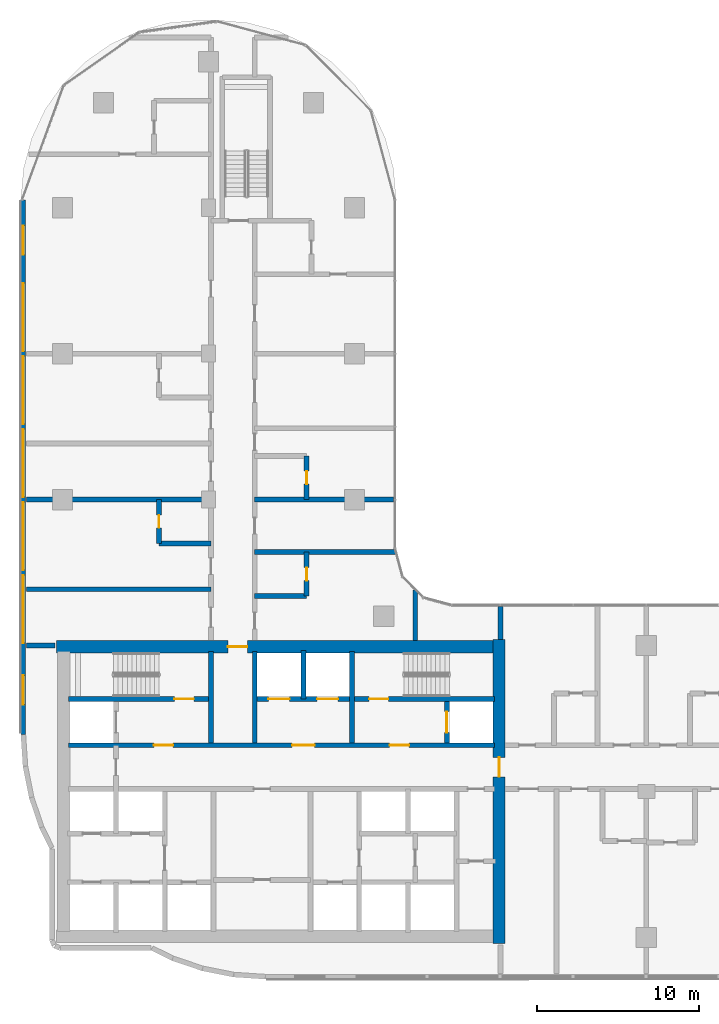
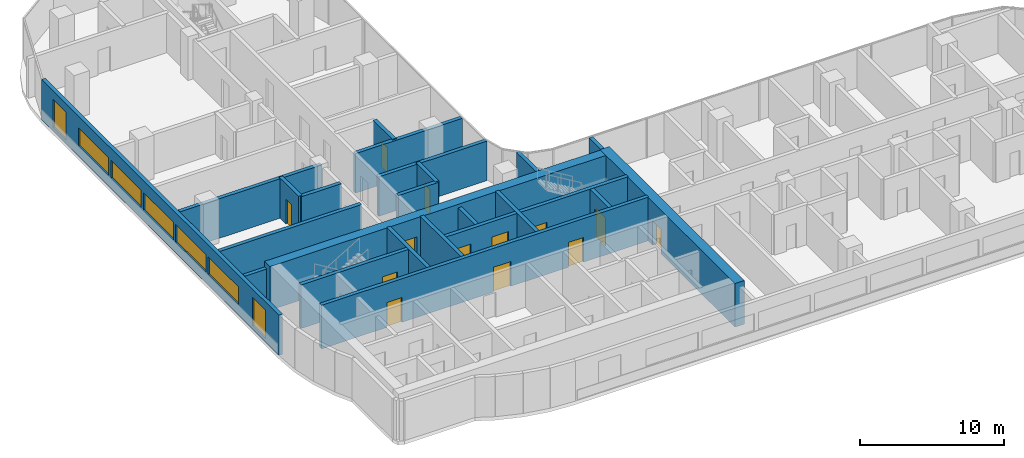
# One storey, part 11 of 23: 23 walls, 13 doors, 7 windows, 20 openings.
"""IFC4 building model written with IfcOpenShell, lengths in metres."""

from ifc_helpers import new_model, si_unit, direction, frame, frame_2d, origin, place, context, subcontext, project, spatial, rectangle, extrude, material, layer, layer_set, type_object, element, fill, save


model = new_model("IFC4")

# Units and contexts
model_context = context("Model", 3, precision=1e-05, world=origin(), true_north=direction((0.0, 1.0)))
body_context = subcontext(model_context, "Body", "Model", "MODEL_VIEW")
ifc_project = project(units=[si_unit("LENGTHUNIT", "METRE"), si_unit("AREAUNIT", "SQUARE_METRE"), si_unit("VOLUMEUNIT", "CUBIC_METRE"), si_unit("PLANEANGLEUNIT", "RADIAN"), si_unit("MASSUNIT", "GRAM", prefix="KILO")], contexts=[model_context])

# Site, building, storey
site_placement = place(None, origin())
site = spatial("IfcSite", under=ifc_project, at=site_placement, CompositionType="ELEMENT")
building_placement = place(site_placement, origin())
building = spatial("IfcBuilding", under=site, at=building_placement, Name="Ogive Portal Towers", CompositionType="ELEMENT")
storey_placement = place(building_placement, frame((0.0, 0.0, 120.39990234375)))
storey = spatial("IfcBuildingStorey", under=building, at=storey_placement, Name="L29", CompositionType="ELEMENT", Elevation=120.39990234375)

# Wall, openings, doors
ifc_material_1 = material(Name="Concrete C60/75", Category="concrete")
ifc_layer_1 = layer(ifc_material_1, 0.300048828125)
ifc_layer_set_1 = layer_set([ifc_layer_1], Name="CORE WALL 300 C60")
wall_type_1 = type_object("IfcWallType", Name="CORE WALL 300 C60", PredefinedType="SHEAR", material=ifc_layer_set_1)
wall_1_placement = place(storey_placement, frame((31.875, 33.35009765625, 0.0), z_axis=(0.0, 0.0, 1.0), x_axis=(1.0, 0.0, 0.0)))
wall_1 = element("IfcWall", 1, at=wall_1_placement, inside=storey, type_object=wall_type_1, Name="Core wall Y2 L29", PredefinedType="SHEAR", context=body_context, shape_type="SweptSolid", body=[
    extrude(rectangle(XDim=26.25, YDim=0.300048828125, at=frame_2d((13.125, 0.0))), origin(), (0.0, 0.0, 1.0), 3.7001953125),
])
opening_1_placement = place(wall_1_placement, frame((13.77490234375, 0.0, 0.0)))
opening_1 = element("IfcOpeningElement", 2, at=opening_1_placement, cuts=wall_1, Name="Opening D10-002", PredefinedType="OPENING", context=body_context, shape_type="SweptSolid", body=[
    extrude(rectangle(XDim=1.39990234375, YDim=2.10009765625, at=frame_2d((0.699951171875, 1.050048828125))), frame((0.0, 0.16015625, 0.0), z_axis=(0.0, -1.0, 0.0), x_axis=(1.0, 0.0, 0.0)), (0.0, 0.0, 1.0), 0.320068359375),
])
opening_2_placement = place(wall_1_placement, frame((5.25, 0.0, 0.0)))
opening_2 = element("IfcOpeningElement", 3, at=opening_2_placement, cuts=wall_1, Name="Opening D10-003", PredefinedType="OPENING", context=body_context, shape_type="SweptSolid", body=[
    extrude(rectangle(XDim=1.199951171875, YDim=2.10009765625, at=frame_2d((0.60009765625, 1.050048828125))), frame((0.0, 0.16015625, 0.0), z_axis=(0.0, -1.0, 0.0), x_axis=(1.0, 0.0, 0.0)), (0.0, 0.0, 1.0), 0.320068359375),
])
opening_3_placement = place(wall_1_placement, frame((19.800048828125, 0.0, 0.0)))
opening_3 = element("IfcOpeningElement", 4, at=opening_3_placement, cuts=wall_1, Name="Opening D10-004", PredefinedType="OPENING", context=body_context, shape_type="SweptSolid", body=[
    extrude(rectangle(XDim=1.199951171875, YDim=2.10009765625, at=frame_2d((0.60009765625, 1.050048828125))), frame((0.0, 0.16015625, 0.0), z_axis=(0.0, -1.0, 0.0), x_axis=(1.0, 0.0, 0.0)), (0.0, 0.0, 1.0), 0.320068359375),
])
ifc_material_2 = material(Name="Steel fire door", Category="steel")
door_type_1 = type_object("IfcDoorType", Name="DT-SWING-1200x2100-FD90S", OperationType="SINGLE_SWING_LEFT", PredefinedType="DOOR", material=ifc_material_2)
door_1_placement = place(opening_2_placement, origin())
door_1 = element("IfcDoor", 5, at=door_1_placement, inside=storey, type_object=door_type_1, Name="Door D10-003", OperationType="SINGLE_SWING_LEFT", OverallHeight=2.10009765625, OverallWidth=1.199951171875, PredefinedType="DOOR", context=body_context, shape_type="SweptSolid", body=[
    extrude(rectangle(XDim=1.199951171875, YDim=2.10009765625, at=frame_2d((0.60009765625, 1.050048828125))), frame((0.0, 0.02490234375, 0.0), z_axis=(0.0, -1.0, 0.0), x_axis=(1.0, 0.0, 0.0)), (0.0, 0.0, 1.0), 0.050048828125),
])
fill(opening_2, door_1)
door_2_placement = place(opening_3_placement, origin())
door_2 = element("IfcDoor", 6, at=door_2_placement, inside=storey, type_object=door_type_1, Name="Door D10-004", OperationType="SINGLE_SWING_RIGHT", OverallHeight=2.10009765625, OverallWidth=1.199951171875, PredefinedType="DOOR", context=body_context, shape_type="SweptSolid", body=[
    extrude(rectangle(XDim=1.199951171875, YDim=2.10009765625, at=frame_2d((0.60009765625, 1.050048828125))), frame((0.0, 0.02490234375, 0.0), z_axis=(0.0, -1.0, 0.0), x_axis=(1.0, 0.0, 0.0)), (0.0, 0.0, 1.0), 0.050048828125),
])
fill(opening_3, door_2)
door_type_2 = type_object("IfcDoorType", Name="DT-SWING-1400x2100-FD90S", OperationType="SINGLE_SWING_LEFT", PredefinedType="DOOR", material=ifc_material_2)
door_3_placement = place(opening_1_placement, origin())
door_3 = element("IfcDoor", 7, at=door_3_placement, inside=storey, type_object=door_type_2, Name="Door D10-002", OperationType="SINGLE_SWING_RIGHT", OverallHeight=2.10009765625, OverallWidth=1.39990234375, PredefinedType="DOOR", context=body_context, shape_type="SweptSolid", body=[
    extrude(rectangle(XDim=1.39990234375, YDim=2.10009765625, at=frame_2d((0.699951171875, 1.050048828125))), frame((0.0, 0.02490234375, 0.0), z_axis=(0.0, -1.0, 0.0), x_axis=(1.0, 0.0, 0.0)), (0.0, 0.0, 1.0), 0.050048828125),
])
fill(opening_1, door_3)

# Wall, opening, door
wall_2_placement = place(storey_placement, frame((31.875, 36.199951171875, 0.0), z_axis=(0.0, 0.0, 1.0), x_axis=(1.0, 0.0, 0.0)))
wall_2 = element("IfcWall", 8, at=wall_2_placement, inside=storey, type_object=wall_type_1, Name="Core wall Y3a L29", PredefinedType="SHEAR", context=body_context, shape_type="SweptSolid", body=[
    extrude(rectangle(XDim=8.625, YDim=0.300048828125, at=frame_2d((4.3125, 0.0))), origin(), (0.0, 0.0, 1.0), 3.7001953125),
])
opening_4_placement = place(wall_2_placement, frame((6.52490234375, 0.0, 0.0)))
opening_4 = element("IfcOpeningElement", 9, at=opening_4_placement, cuts=wall_2, Name="Opening D10-005", PredefinedType="OPENING", context=body_context, shape_type="SweptSolid", body=[
    extrude(rectangle(XDim=1.199951171875, YDim=2.10009765625, at=frame_2d((0.60009765625, 1.050048828125))), frame((0.0, 0.16015625, 0.0), z_axis=(0.0, -1.0, 0.0), x_axis=(1.0, 0.0, 0.0)), (0.0, 0.0, 1.0), 0.320068359375),
])
door_4_placement = place(opening_4_placement, origin())
door_4 = element("IfcDoor", 10, at=door_4_placement, inside=storey, type_object=door_type_1, Name="Door D10-005", OperationType="SINGLE_SWING_RIGHT", OverallHeight=2.10009765625, OverallWidth=1.199951171875, PredefinedType="DOOR", context=body_context, shape_type="SweptSolid", body=[
    extrude(rectangle(XDim=1.199951171875, YDim=2.10009765625, at=frame_2d((0.60009765625, 1.050048828125))), frame((0.0, 0.02490234375, 0.0), z_axis=(0.0, -1.0, 0.0), x_axis=(1.0, 0.0, 0.0)), (0.0, 0.0, 1.0), 0.050048828125),
])
fill(opening_4, door_4)

# Wall, openings, doors
wall_3_placement = place(storey_placement, frame((43.5, 36.199951171875, 0.0), z_axis=(0.0, 0.0, 1.0), x_axis=(1.0, 0.0, 0.0)))
wall_3 = element("IfcWall", 11, at=wall_3_placement, inside=storey, type_object=wall_type_1, Name="Core wall Y3b L29", PredefinedType="SHEAR", context=body_context, shape_type="SweptSolid", body=[
    extrude(rectangle(XDim=14.625, YDim=0.300048828125, at=frame_2d((7.3125, 0.0))), origin(), (0.0, 0.0, 1.0), 3.7001953125),
])
opening_5_placement = place(wall_3_placement, frame((6.89990234375, 0.0, 0.0)))
opening_5 = element("IfcOpeningElement", 12, at=opening_5_placement, cuts=wall_3, Name="Opening D10-006", PredefinedType="OPENING", context=body_context, shape_type="SweptSolid", body=[
    extrude(rectangle(XDim=1.199951171875, YDim=2.10009765625, at=frame_2d((0.60009765625, 1.050048828125))), frame((0.0, 0.16015625, 0.0), z_axis=(0.0, -1.0, 0.0), x_axis=(1.0, 0.0, 0.0)), (0.0, 0.0, 1.0), 0.320068359375),
])
opening_6_placement = place(wall_3_placement, frame((0.699951171875, 0.0, 0.0)))
opening_6 = element("IfcOpeningElement", 13, at=opening_6_placement, cuts=wall_3, Name="Opening D10-017", PredefinedType="OPENING", context=body_context, shape_type="SweptSolid", body=[
    extrude(rectangle(XDim=1.300048828125, YDim=2.39990234375, at=frame_2d((0.64990234375, 1.199951171875))), frame((0.0, 0.16015625, 0.0), z_axis=(0.0, -1.0, 0.0), x_axis=(1.0, 0.0, 0.0)), (0.0, 0.0, 1.0), 0.320068359375),
])
opening_7_placement = place(wall_3_placement, frame((3.699951171875, 0.0, 0.0)))
opening_7 = element("IfcOpeningElement", 14, at=opening_7_placement, cuts=wall_3, Name="Opening D10-018", PredefinedType="OPENING", context=body_context, shape_type="SweptSolid", body=[
    extrude(rectangle(XDim=1.300048828125, YDim=2.39990234375, at=frame_2d((0.64990234375, 1.199951171875))), frame((0.0, 0.16015625, 0.0), z_axis=(0.0, -1.0, 0.0), x_axis=(1.0, 0.0, 0.0)), (0.0, 0.0, 1.0), 0.320068359375),
])
ifc_material_3 = material(Name="Stainless steel", Category="steel")
door_type_3 = type_object("IfcDoorType", Name="DT-LD-1300x2400", OperationType="SLIDING_TO_LEFT", PredefinedType="DOOR", material=ifc_material_3)
door_5_placement = place(opening_6_placement, origin())
door_5 = element("IfcDoor", 15, at=door_5_placement, inside=storey, type_object=door_type_3, Name="Door D10-017", OperationType="SLIDING_TO_LEFT", OverallHeight=2.39990234375, OverallWidth=1.300048828125, PredefinedType="DOOR", context=body_context, shape_type="SweptSolid", body=[
    extrude(rectangle(XDim=1.300048828125, YDim=2.39990234375, at=frame_2d((0.64990234375, 1.199951171875))), frame((0.0, 0.02490234375, 0.0), z_axis=(0.0, -1.0, 0.0), x_axis=(1.0, 0.0, 0.0)), (0.0, 0.0, 1.0), 0.050048828125),
])
fill(opening_6, door_5)
door_6_placement = place(opening_7_placement, origin())
door_6 = element("IfcDoor", 16, at=door_6_placement, inside=storey, type_object=door_type_3, Name="Door D10-018", OperationType="SLIDING_TO_LEFT", OverallHeight=2.39990234375, OverallWidth=1.300048828125, PredefinedType="DOOR", context=body_context, shape_type="SweptSolid", body=[
    extrude(rectangle(XDim=1.300048828125, YDim=2.39990234375, at=frame_2d((0.64990234375, 1.199951171875))), frame((0.0, 0.02490234375, 0.0), z_axis=(0.0, -1.0, 0.0), x_axis=(1.0, 0.0, 0.0)), (0.0, 0.0, 1.0), 0.050048828125),
])
fill(opening_7, door_6)
door_7_placement = place(opening_5_placement, origin())
door_7 = element("IfcDoor", 17, at=door_7_placement, inside=storey, type_object=door_type_1, Name="Door D10-006", OperationType="SINGLE_SWING_LEFT", OverallHeight=2.10009765625, OverallWidth=1.199951171875, PredefinedType="DOOR", context=body_context, shape_type="SweptSolid", body=[
    extrude(rectangle(XDim=1.199951171875, YDim=2.10009765625, at=frame_2d((0.60009765625, 1.050048828125))), frame((0.0, 0.02490234375, 0.0), z_axis=(0.0, -1.0, 0.0), x_axis=(1.0, 0.0, 0.0)), (0.0, 0.0, 1.0), 0.050048828125),
])
fill(opening_5, door_7)

# Walls
for number, where, z_axis, x_axis, name in (
    (18, (40.64990234375, 33.5, 0.0), (0.0, 0.0, 1.0), (0.0, 1.0, 0.0), "Core wall X6 L29"),
    (19, (43.35009765625, 33.5, 0.0), (0.0, 0.0, 1.0), (0.0, 1.0, 0.0), "Core wall X7 L29"),
    (20, (49.35009765625, 33.5, 0.0), (0.0, 0.0, 1.0), (0.0, 1.0, 0.0), "Core wall X9 L29"),
):
    element("IfcWall", number, at=place(storey_placement, frame(where, z_axis=z_axis, x_axis=x_axis)), inside=storey, type_object=wall_type_1, Name=name, PredefinedType="SHEAR", context=body_context, shape_type="SweptSolid", body=[
        extrude(rectangle(XDim=5.625, YDim=0.300048828125, at=frame_2d((2.8125, 0.0))), origin(), (0.0, 0.0, 1.0), 3.7001953125),
    ])

# Wall, opening, door
wall_4_placement = place(storey_placement, frame((55.199951171875, 33.5, 0.0), z_axis=(0.0, 0.0, 1.0), x_axis=(0.0, 1.0, 0.0)))
wall_4 = element("IfcWall", 21, at=wall_4_placement, inside=storey, type_object=wall_type_1, Name="Core wall X10 L29", PredefinedType="SHEAR", context=body_context, shape_type="SweptSolid", body=[
    extrude(rectangle(XDim=2.550048828125, YDim=0.300048828125, at=frame_2d((1.27490234375, 0.0))), origin(), (0.0, 0.0, 1.0), 3.7001953125),
])
opening_8_placement = place(wall_4_placement, frame((0.625, 0.0, 0.0)))
opening_8 = element("IfcOpeningElement", 22, at=opening_8_placement, cuts=wall_4, Name="Opening D10-020", PredefinedType="OPENING", context=body_context, shape_type="SweptSolid", body=[
    extrude(rectangle(XDim=1.300048828125, YDim=2.39990234375, at=frame_2d((0.64990234375, 1.199951171875))), frame((0.0, 0.16015625, 0.0), z_axis=(0.0, -1.0, 0.0), x_axis=(1.0, 0.0, 0.0)), (0.0, 0.0, 1.0), 0.320068359375),
])
door_8_placement = place(opening_8_placement, origin())
door_8 = element("IfcDoor", 23, at=door_8_placement, inside=storey, type_object=door_type_3, Name="Door D10-020", OperationType="SLIDING_TO_LEFT", OverallHeight=2.39990234375, OverallWidth=1.300048828125, PredefinedType="DOOR", context=body_context, shape_type="SweptSolid", body=[
    extrude(rectangle(XDim=1.300048828125, YDim=2.39990234375, at=frame_2d((0.64990234375, 1.199951171875))), frame((0.0, 0.02490234375, 0.0), z_axis=(0.0, -1.0, 0.0), x_axis=(1.0, 0.0, 0.0)), (0.0, 0.0, 1.0), 0.050048828125),
])
fill(opening_8, door_8)

ifc_layer_2 = layer(ifc_material_1, 0.75)
ifc_layer_set_2 = layer_set([ifc_layer_2], Name="CORE WALL 750 C60")
wall_type_2 = type_object("IfcWallType", Name="CORE WALL 750 C60", PredefinedType="SHEAR", material=ifc_layer_set_2)
wall_5_placement = place(storey_placement, frame((58.425048828125, 21.125, 0.0), z_axis=(0.0, 0.0, 1.0), x_axis=(0.0, 1.0, 0.0)))
wall_5 = element("IfcWall", 24, at=wall_5_placement, inside=storey, type_object=wall_type_2, Name="Core wall E L29", PredefinedType="SHEAR", context=body_context, shape_type="SweptSolid", body=[
    extrude(rectangle(XDim=18.75, YDim=0.75, at=frame_2d((9.375, 0.0))), origin(), (0.0, 0.0, 1.0), 3.7001953125),
])
opening_9_placement = place(wall_5_placement, frame((10.27490234375, 0.0, 0.0)))
opening_9 = element("IfcOpeningElement", 25, at=opening_9_placement, cuts=wall_5, Name="Opening D10-011", PredefinedType="OPENING", context=body_context, shape_type="SweptSolid", body=[
    extrude(rectangle(XDim=1.199951171875, YDim=2.10009765625, at=frame_2d((0.60009765625, 1.050048828125))), frame((0.0, 0.385009765625, 0.0), z_axis=(0.0, -1.0, 0.0), x_axis=(1.0, 0.0, 0.0)), (0.0, 0.0, 1.0), 0.77001953125),
])
door_9_placement = place(opening_9_placement, origin())
door_9 = element("IfcDoor", 26, at=door_9_placement, inside=storey, type_object=door_type_1, Name="Door D10-011", OperationType="SINGLE_SWING_LEFT", OverallHeight=2.10009765625, OverallWidth=1.199951171875, PredefinedType="DOOR", context=body_context, shape_type="SweptSolid", body=[
    extrude(rectangle(XDim=1.199951171875, YDim=2.10009765625, at=frame_2d((0.60009765625, 1.050048828125))), frame((0.0, 0.02490234375, 0.0), z_axis=(0.0, -1.0, 0.0), x_axis=(1.0, 0.0, 0.0)), (0.0, 0.0, 1.0), 0.050048828125),
])
fill(opening_9, door_9)

wall_6_placement = place(storey_placement, frame((31.125, 39.425048828125, 0.0), z_axis=(0.0, 0.0, 1.0), x_axis=(1.0, 0.0, 0.0)))
wall_6 = element("IfcWall", 27, at=wall_6_placement, inside=storey, type_object=wall_type_2, Name="Core wall N L29", PredefinedType="SHEAR", context=body_context, shape_type="SweptSolid", body=[
    extrude(rectangle(XDim=27.0, YDim=0.75, at=frame_2d((13.5, 0.0))), origin(), (0.0, 0.0, 1.0), 3.7001953125),
])
opening_10_placement = place(wall_6_placement, frame((10.574951171875, 0.0, 0.0)))
opening_10 = element("IfcOpeningElement", 28, at=opening_10_placement, cuts=wall_6, Name="Opening D10-012", PredefinedType="OPENING", context=body_context, shape_type="SweptSolid", body=[
    extrude(rectangle(XDim=1.199951171875, YDim=2.10009765625, at=frame_2d((0.60009765625, 1.050048828125))), frame((0.0, 0.385009765625, 0.0), z_axis=(0.0, -1.0, 0.0), x_axis=(1.0, 0.0, 0.0)), (0.0, 0.0, 1.0), 0.77001953125),
])
door_10_placement = place(opening_10_placement, origin())
door_10 = element("IfcDoor", 29, at=door_10_placement, inside=storey, type_object=door_type_1, Name="Door D10-012", OperationType="SINGLE_SWING_RIGHT", OverallHeight=2.10009765625, OverallWidth=1.199951171875, PredefinedType="DOOR", context=body_context, shape_type="SweptSolid", body=[
    extrude(rectangle(XDim=1.199951171875, YDim=2.10009765625, at=frame_2d((0.60009765625, 1.050048828125))), frame((0.0, 0.02490234375, 0.0), z_axis=(0.0, -1.0, 0.0), x_axis=(1.0, 0.0, 0.0)), (0.0, 0.0, 1.0), 0.050048828125),
])
fill(opening_10, door_10)

# Wall, openings, windows
ifc_material_4 = material(Name="Limestone cladding on lightweight block wall", Category="masonry")
ifc_layer_3 = layer(ifc_material_4, 0.300048828125)
ifc_layer_set_3 = layer_set([ifc_layer_3], Name="EXTERNAL WALL 300 STONE")
wall_type_3 = type_object("IfcWallType", Name="EXTERNAL WALL 300 STONE", PredefinedType="SOLIDWALL", material=ifc_layer_set_3)
wall_7_placement = place(storey_placement, frame((29.074951171875, 66.98583984375, 0.0), z_axis=(0.0, 0.0, 1.0), x_axis=(0.0, -1.0, 0.0)))
wall_7 = element("IfcWall", 30, at=wall_7_placement, inside=storey, type_object=wall_type_3, Name="A:L29:f27:r0:wall", PredefinedType="SOLIDWALL", context=body_context, shape_type="SweptSolid", body=[
    extrude(rectangle(XDim=32.97607421875, YDim=0.300048828125, at=frame_2d((16.488037109375, 0.0))), origin(), (0.0, 0.0, 1.0), 3.400146484375),
])
opening_11_placement = place(wall_7_placement, frame((1.593017578125, 0.0, 0.300048828125)))
opening_11 = element("IfcOpeningElement", 31, at=opening_11_placement, cuts=wall_7, Name="Opening WN10", PredefinedType="OPENING", context=body_context, shape_type="SweptSolid", body=[
    extrude(rectangle(XDim=1.800048828125, YDim=2.39990234375, at=frame_2d((0.89990234375, 1.199951171875))), frame((0.0, 0.16015625, 0.0), z_axis=(0.0, -1.0, 0.0), x_axis=(1.0, 0.0, 0.0)), (0.0, 0.0, 1.0), 0.320068359375),
])
opening_12_placement = place(wall_7_placement, frame((5.135986328125, 0.0, 0.89990234375)))
opening_12 = element("IfcOpeningElement", 32, at=opening_12_placement, cuts=wall_7, Name="Opening WN11", PredefinedType="OPENING", context=body_context, shape_type="SweptSolid", body=[
    extrude(rectangle(XDim=4.199951171875, YDim=1.5, at=frame_2d((2.10009765625, 0.75))), frame((0.0, 0.16015625, 0.0), z_axis=(0.0, -1.0, 0.0), x_axis=(1.0, 0.0, 0.0)), (0.0, 0.0, 1.0), 0.320068359375),
])
opening_13_placement = place(wall_7_placement, frame((9.635986328125, 0.0, 0.89990234375)))
opening_13 = element("IfcOpeningElement", 33, at=opening_13_placement, cuts=wall_7, Name="Opening WN11", PredefinedType="OPENING", context=body_context, shape_type="SweptSolid", body=[
    extrude(rectangle(XDim=4.199951171875, YDim=1.5, at=frame_2d((2.10009765625, 0.75))), frame((0.0, 0.16015625, 0.0), z_axis=(0.0, -1.0, 0.0), x_axis=(1.0, 0.0, 0.0)), (0.0, 0.0, 1.0), 0.320068359375),
])
opening_14_placement = place(wall_7_placement, frame((14.135986328125, 0.0, 0.89990234375)))
opening_14 = element("IfcOpeningElement", 34, at=opening_14_placement, cuts=wall_7, Name="Opening WN11", PredefinedType="OPENING", context=body_context, shape_type="SweptSolid", body=[
    extrude(rectangle(XDim=4.199951171875, YDim=1.5, at=frame_2d((2.10009765625, 0.75))), frame((0.0, 0.16015625, 0.0), z_axis=(0.0, -1.0, 0.0), x_axis=(1.0, 0.0, 0.0)), (0.0, 0.0, 1.0), 0.320068359375),
])
opening_15_placement = place(wall_7_placement, frame((18.635986328125, 0.0, 0.89990234375)))
opening_15 = element("IfcOpeningElement", 35, at=opening_15_placement, cuts=wall_7, Name="Opening WN11", PredefinedType="OPENING", context=body_context, shape_type="SweptSolid", body=[
    extrude(rectangle(XDim=4.199951171875, YDim=1.5, at=frame_2d((2.10009765625, 0.75))), frame((0.0, 0.16015625, 0.0), z_axis=(0.0, -1.0, 0.0), x_axis=(1.0, 0.0, 0.0)), (0.0, 0.0, 1.0), 0.320068359375),
])
opening_16_placement = place(wall_7_placement, frame((23.135986328125, 0.0, 0.89990234375)))
opening_16 = element("IfcOpeningElement", 36, at=opening_16_placement, cuts=wall_7, Name="Opening WN11", PredefinedType="OPENING", context=body_context, shape_type="SweptSolid", body=[
    extrude(rectangle(XDim=4.199951171875, YDim=1.5, at=frame_2d((2.10009765625, 0.75))), frame((0.0, 0.16015625, 0.0), z_axis=(0.0, -1.0, 0.0), x_axis=(1.0, 0.0, 0.0)), (0.0, 0.0, 1.0), 0.320068359375),
])
opening_17_placement = place(wall_7_placement, frame((29.3310546875, 0.0, 0.300048828125)))
opening_17 = element("IfcOpeningElement", 37, at=opening_17_placement, cuts=wall_7, Name="Opening WN10", PredefinedType="OPENING", context=body_context, shape_type="SweptSolid", body=[
    extrude(rectangle(XDim=1.800048828125, YDim=2.39990234375, at=frame_2d((0.89990234375, 1.199951171875))), frame((0.0, 0.16015625, 0.0), z_axis=(0.0, -1.0, 0.0), x_axis=(1.0, 0.0, 0.0)), (0.0, 0.0, 1.0), 0.320068359375),
])
ifc_material_5 = material(Name="Glass, clear low-iron insulated glazing", Category="glass")
window_type_1 = type_object("IfcWindowType", Name="WINDOW RIBBON 4200x1500", PartitioningType="TRIPLE_PANEL_VERTICAL", PredefinedType="WINDOW", material=ifc_material_5)
window_1_placement = place(opening_12_placement, origin())
window_1 = element("IfcWindow", 38, at=window_1_placement, inside=storey, type_object=window_type_1, Name="A:L29:f27:r0:w1", OverallHeight=1.5, OverallWidth=4.199951171875, PartitioningType="SINGLE_PANEL", PredefinedType="WINDOW", context=body_context, shape_type="SweptSolid", body=[
    extrude(rectangle(XDim=4.199951171875, YDim=1.5, at=frame_2d((2.10009765625, 0.75))), frame((0.0, 0.030029296875, 0.0), z_axis=(0.0, -1.0, 0.0), x_axis=(1.0, 0.0, 0.0)), (0.0, 0.0, 1.0), 0.06005859375),
])
fill(opening_12, window_1)
window_2_placement = place(opening_13_placement, origin())
window_2 = element("IfcWindow", 39, at=window_2_placement, inside=storey, type_object=window_type_1, Name="A:L29:f27:r0:w2", OverallHeight=1.5, OverallWidth=4.199951171875, PartitioningType="SINGLE_PANEL", PredefinedType="WINDOW", context=body_context, shape_type="SweptSolid", body=[
    extrude(rectangle(XDim=4.199951171875, YDim=1.5, at=frame_2d((2.10009765625, 0.75))), frame((0.0, 0.030029296875, 0.0), z_axis=(0.0, -1.0, 0.0), x_axis=(1.0, 0.0, 0.0)), (0.0, 0.0, 1.0), 0.06005859375),
])
fill(opening_13, window_2)
window_3_placement = place(opening_14_placement, origin())
window_3 = element("IfcWindow", 40, at=window_3_placement, inside=storey, type_object=window_type_1, Name="A:L29:f27:r0:w3", OverallHeight=1.5, OverallWidth=4.199951171875, PartitioningType="SINGLE_PANEL", PredefinedType="WINDOW", context=body_context, shape_type="SweptSolid", body=[
    extrude(rectangle(XDim=4.199951171875, YDim=1.5, at=frame_2d((2.10009765625, 0.75))), frame((0.0, 0.030029296875, 0.0), z_axis=(0.0, -1.0, 0.0), x_axis=(1.0, 0.0, 0.0)), (0.0, 0.0, 1.0), 0.06005859375),
])
fill(opening_14, window_3)
window_4_placement = place(opening_15_placement, origin())
window_4 = element("IfcWindow", 41, at=window_4_placement, inside=storey, type_object=window_type_1, Name="A:L29:f27:r0:w4", OverallHeight=1.5, OverallWidth=4.199951171875, PartitioningType="SINGLE_PANEL", PredefinedType="WINDOW", context=body_context, shape_type="SweptSolid", body=[
    extrude(rectangle(XDim=4.199951171875, YDim=1.5, at=frame_2d((2.10009765625, 0.75))), frame((0.0, 0.030029296875, 0.0), z_axis=(0.0, -1.0, 0.0), x_axis=(1.0, 0.0, 0.0)), (0.0, 0.0, 1.0), 0.06005859375),
])
fill(opening_15, window_4)
window_5_placement = place(opening_16_placement, origin())
window_5 = element("IfcWindow", 42, at=window_5_placement, inside=storey, type_object=window_type_1, Name="A:L29:f27:r0:w5", OverallHeight=1.5, OverallWidth=4.199951171875, PartitioningType="SINGLE_PANEL", PredefinedType="WINDOW", context=body_context, shape_type="SweptSolid", body=[
    extrude(rectangle(XDim=4.199951171875, YDim=1.5, at=frame_2d((2.10009765625, 0.75))), frame((0.0, 0.030029296875, 0.0), z_axis=(0.0, -1.0, 0.0), x_axis=(1.0, 0.0, 0.0)), (0.0, 0.0, 1.0), 0.06005859375),
])
fill(opening_16, window_5)
window_type_2 = type_object("IfcWindowType", Name="WINDOW SUITE CORNER 1800x2400", PartitioningType="DOUBLE_PANEL_VERTICAL", PredefinedType="WINDOW", material=ifc_material_5)
window_6_placement = place(opening_11_placement, origin())
window_6 = element("IfcWindow", 43, at=window_6_placement, inside=storey, type_object=window_type_2, Name="A:L29:f27:r0:w0", OverallHeight=2.39990234375, OverallWidth=1.800048828125, PartitioningType="SINGLE_PANEL", PredefinedType="WINDOW", context=body_context, shape_type="SweptSolid", body=[
    extrude(rectangle(XDim=1.800048828125, YDim=2.39990234375, at=frame_2d((0.89990234375, 1.199951171875))), frame((0.0, 0.030029296875, 0.0), z_axis=(0.0, -1.0, 0.0), x_axis=(1.0, 0.0, 0.0)), (0.0, 0.0, 1.0), 0.06005859375),
])
fill(opening_11, window_6)
window_7_placement = place(opening_17_placement, origin())
window_7 = element("IfcWindow", 44, at=window_7_placement, inside=storey, type_object=window_type_2, Name="A:L29:f27:r0:w6", OverallHeight=2.39990234375, OverallWidth=1.800048828125, PartitioningType="SINGLE_PANEL", PredefinedType="WINDOW", context=body_context, shape_type="SweptSolid", body=[
    extrude(rectangle(XDim=1.800048828125, YDim=2.39990234375, at=frame_2d((0.89990234375, 1.199951171875))), frame((0.0, 0.030029296875, 0.0), z_axis=(0.0, -1.0, 0.0), x_axis=(1.0, 0.0, 0.0)), (0.0, 0.0, 1.0), 0.06005859375),
])
fill(opening_17, window_7)

# Walls
ifc_material_6 = material(Name="Gypsum board partition on steel studs", Category="steel")
ifc_layer_4 = layer(ifc_material_6, 0.300048828125)
ifc_layer_set_4 = layer_set([ifc_layer_4], Name="WT-PART-300-EI 60")
wall_type_4 = type_object("IfcWallType", Name="WT-PART-300-EI 60", PredefinedType="PARTITIONING", material=ifc_layer_set_4)
wall_8_placement = place(storey_placement, frame((29.27490234375, 39.5, 0.0), z_axis=(0.0, 0.0, 1.0), x_axis=(1.0, 0.0, 0.0)))
element("IfcWall", 45, at=wall_8_placement, inside=storey, type_object=wall_type_4, Name="Wall L29:w013", PredefinedType="PARTITIONING", context=body_context, shape_type="SweptSolid", body=[
    extrude(rectangle(XDim=1.755126953125, YDim=0.300048828125, at=frame_2d((0.87744140625, 0.0))), origin(), (0.0, 0.0, 1.0), 3.35009765625),
])
wall_9_placement = place(storey_placement, frame((43.35009765625, 42.56005859375, 0.0), z_axis=(0.0, 0.0, 1.0), x_axis=(1.0, 0.0, 0.0)))
element("IfcWall", 46, at=wall_9_placement, inside=storey, type_object=wall_type_4, Name="Wall L29:w015", PredefinedType="PARTITIONING", context=body_context, shape_type="SweptSolid", body=[
    extrude(rectangle(XDim=3.199951171875, YDim=0.300048828125, at=frame_2d((1.60009765625, 0.0))), origin(), (0.0, 0.0, 1.0), 3.400146484375),
])
wall_10_placement = place(storey_placement, frame((29.27490234375, 42.969970703125, 0.0), z_axis=(0.0, 0.0, 1.0), x_axis=(1.0, 0.0, 0.0)))
element("IfcWall", 47, at=wall_10_placement, inside=storey, type_object=wall_type_4, Name="Wall L29:w016", PredefinedType="PARTITIONING", context=body_context, shape_type="SweptSolid", body=[
    extrude(rectangle(XDim=11.375, YDim=0.300048828125, at=frame_2d((5.6875, 0.0))), origin(), (0.0, 0.0, 1.0), 3.35009765625),
])
wall_11_placement = place(storey_placement, frame((43.35009765625, 45.260009765625, 0.0), z_axis=(0.0, 0.0, 1.0), x_axis=(1.0, 0.0, 0.0)))
element("IfcWall", 48, at=wall_11_placement, inside=storey, type_object=wall_type_4, Name="Wall L29:w017", PredefinedType="PARTITIONING", context=body_context, shape_type="SweptSolid", body=[
    extrude(rectangle(XDim=8.67578125, YDim=0.300048828125, at=frame_2d((4.337890625, 0.0))), origin(), (0.0, 0.0, 1.0), 3.35009765625),
])
wall_12_placement = place(storey_placement, frame((37.449951171875, 45.800048828125, 0.0), z_axis=(0.0, 0.0, 1.0), x_axis=(1.0, 0.0, 0.0)))
element("IfcWall", 49, at=wall_12_placement, inside=storey, type_object=wall_type_4, Name="Wall L29:w018", PredefinedType="PARTITIONING", context=body_context, shape_type="SweptSolid", body=[
    extrude(rectangle(XDim=3.199951171875, YDim=0.300048828125, at=frame_2d((1.60009765625, 0.0))), origin(), (0.0, 0.0, 1.0), 3.400146484375),
])
wall_13_placement = place(storey_placement, frame((29.27490234375, 48.5, 0.0), z_axis=(0.0, 0.0, 1.0), x_axis=(1.0, 0.0, 0.0)))
element("IfcWall", 50, at=wall_13_placement, inside=storey, type_object=wall_type_4, Name="Wall L29:w019", PredefinedType="PARTITIONING", context=body_context, shape_type="SweptSolid", body=[
    extrude(rectangle(XDim=11.375, YDim=0.300048828125, at=frame_2d((5.6875, 0.0))), origin(), (0.0, 0.0, 1.0), 3.35009765625),
])
wall_14_placement = place(storey_placement, frame((43.35009765625, 48.5, 0.0), z_axis=(0.0, 0.0, 1.0), x_axis=(1.0, 0.0, 0.0)))
element("IfcWall", 51, at=wall_14_placement, inside=storey, type_object=wall_type_4, Name="Wall L29:w020", PredefinedType="PARTITIONING", context=body_context, shape_type="SweptSolid", body=[
    extrude(rectangle(XDim=8.554931640625, YDim=0.300048828125, at=frame_2d((4.27734375, 0.0))), origin(), (0.0, 0.0, 1.0), 3.35009765625),
])

# Wall, opening, door
wall_15_placement = place(storey_placement, frame((37.449951171875, 45.800048828125, 0.0), z_axis=(0.0, 0.0, 1.0), x_axis=(0.0, 1.0, 0.0)))
wall_15 = element("IfcWall", 52, at=wall_15_placement, inside=storey, type_object=wall_type_4, Name="Wall L29:w035", PredefinedType="PARTITIONING", context=body_context, shape_type="SweptSolid", body=[
    extrude(rectangle(XDim=2.699951171875, YDim=0.300048828125, at=frame_2d((1.35009765625, 0.0))), origin(), (0.0, 0.0, 1.0), 3.400146484375),
])
opening_18_placement = place(wall_15_placement, frame((0.949951171875, 0.0, 0.0)))
opening_18 = element("IfcOpeningElement", 53, at=opening_18_placement, cuts=wall_15, Name="Opening D10-048", PredefinedType="OPENING", context=body_context, shape_type="SweptSolid", body=[
    extrude(rectangle(XDim=0.800048828125, YDim=2.10009765625, at=frame_2d((0.39990234375, 1.050048828125))), frame((0.0, 0.16015625, 0.0), z_axis=(0.0, -1.0, 0.0), x_axis=(1.0, 0.0, 0.0)), (0.0, 0.0, 1.0), 0.320068359375),
])
door_type_4 = type_object("IfcDoorType", Name="DT-BATH-800x2100-FD60S", OperationType="SINGLE_SWING_LEFT", PredefinedType="DOOR", material=ifc_material_2)
door_11_placement = place(opening_18_placement, origin())
door_11 = element("IfcDoor", 54, at=door_11_placement, inside=storey, type_object=door_type_4, Name="Door D10-048", OperationType="SINGLE_SWING_RIGHT", OverallHeight=2.10009765625, OverallWidth=0.800048828125, PredefinedType="DOOR", context=body_context, shape_type="SweptSolid", body=[
    extrude(rectangle(XDim=0.800048828125, YDim=2.10009765625, at=frame_2d((0.39990234375, 1.050048828125))), frame((0.0, 0.02490234375, 0.0), z_axis=(0.0, -1.0, 0.0), x_axis=(1.0, 0.0, 0.0)), (0.0, 0.0, 1.0), 0.050048828125),
])
fill(opening_18, door_11)

wall_16_placement = place(storey_placement, frame((46.550048828125, 42.56005859375, 0.0), z_axis=(0.0, 0.0, 1.0), x_axis=(0.0, 1.0, 0.0)))
wall_16 = element("IfcWall", 55, at=wall_16_placement, inside=storey, type_object=wall_type_4, Name="Wall L29:w042", PredefinedType="PARTITIONING", context=body_context, shape_type="SweptSolid", body=[
    extrude(rectangle(XDim=2.699951171875, YDim=0.300048828125, at=frame_2d((1.35009765625, 0.0))), origin(), (0.0, 0.0, 1.0), 3.400146484375),
])
opening_19_placement = place(wall_16_placement, frame((0.949951171875, 0.0, 0.0)))
opening_19 = element("IfcOpeningElement", 56, at=opening_19_placement, cuts=wall_16, Name="Opening D10-044", PredefinedType="OPENING", context=body_context, shape_type="SweptSolid", body=[
    extrude(rectangle(XDim=0.800048828125, YDim=2.10009765625, at=frame_2d((0.39990234375, 1.050048828125))), frame((0.0, 0.16015625, 0.0), z_axis=(0.0, -1.0, 0.0), x_axis=(1.0, 0.0, 0.0)), (0.0, 0.0, 1.0), 0.320068359375),
])
door_12_placement = place(opening_19_placement, origin())
door_12 = element("IfcDoor", 57, at=door_12_placement, inside=storey, type_object=door_type_4, Name="Door D10-044", OperationType="SINGLE_SWING_LEFT", OverallHeight=2.10009765625, OverallWidth=0.800048828125, PredefinedType="DOOR", context=body_context, shape_type="SweptSolid", body=[
    extrude(rectangle(XDim=0.800048828125, YDim=2.10009765625, at=frame_2d((0.39990234375, 1.050048828125))), frame((0.0, 0.02490234375, 0.0), z_axis=(0.0, -1.0, 0.0), x_axis=(1.0, 0.0, 0.0)), (0.0, 0.0, 1.0), 0.050048828125),
])
fill(opening_19, door_12)

wall_17_placement = place(storey_placement, frame((46.550048828125, 48.5, 0.0), z_axis=(0.0, 0.0, 1.0), x_axis=(0.0, 1.0, 0.0)))
wall_17 = element("IfcWall", 58, at=wall_17_placement, inside=storey, type_object=wall_type_4, Name="Wall L29:w043", PredefinedType="PARTITIONING", context=body_context, shape_type="SweptSolid", body=[
    extrude(rectangle(XDim=2.699951171875, YDim=0.300048828125, at=frame_2d((1.35009765625, 0.0))), origin(), (0.0, 0.0, 1.0), 3.400146484375),
])
opening_20_placement = place(wall_17_placement, frame((0.949951171875, 0.0, 0.0)))
opening_20 = element("IfcOpeningElement", 59, at=opening_20_placement, cuts=wall_17, Name="Opening D10-050", PredefinedType="OPENING", context=body_context, shape_type="SweptSolid", body=[
    extrude(rectangle(XDim=0.800048828125, YDim=2.10009765625, at=frame_2d((0.39990234375, 1.050048828125))), frame((0.0, 0.16015625, 0.0), z_axis=(0.0, -1.0, 0.0), x_axis=(1.0, 0.0, 0.0)), (0.0, 0.0, 1.0), 0.320068359375),
])
door_13_placement = place(opening_20_placement, origin())
door_13 = element("IfcDoor", 60, at=door_13_placement, inside=storey, type_object=door_type_4, Name="Door D10-050", OperationType="SINGLE_SWING_LEFT", OverallHeight=2.10009765625, OverallWidth=0.800048828125, PredefinedType="DOOR", context=body_context, shape_type="SweptSolid", body=[
    extrude(rectangle(XDim=0.800048828125, YDim=2.10009765625, at=frame_2d((0.39990234375, 1.050048828125))), frame((0.0, 0.02490234375, 0.0), z_axis=(0.0, -1.0, 0.0), x_axis=(1.0, 0.0, 0.0)), (0.0, 0.0, 1.0), 0.050048828125),
])
fill(opening_20, door_13)

# Walls
wall_18_placement = place(storey_placement, frame((53.25, 39.800048828125, 0.0), z_axis=(0.0, 0.0, 1.0), x_axis=(0.0, 1.0, 0.0)))
element("IfcWall", 61, at=wall_18_placement, inside=storey, type_object=wall_type_4, Name="Wall L29:w045", PredefinedType="PARTITIONING", context=body_context, shape_type="SweptSolid", body=[
    extrude(rectangle(XDim=3.119873046875, YDim=0.300048828125, at=frame_2d((1.56005859375, 0.0))), origin(), (0.0, 0.0, 1.0), 3.35009765625),
])
wall_19_placement = place(storey_placement, frame((58.5, 39.8798828125, 0.0), z_axis=(0.0, 0.0, 1.0), x_axis=(0.0, 1.0, 0.0)))
element("IfcWall", 62, at=wall_19_placement, inside=storey, type_object=wall_type_4, Name="Wall L29:w047", PredefinedType="PARTITIONING", context=body_context, shape_type="SweptSolid", body=[
    extrude(rectangle(XDim=2.025146484375, YDim=0.300048828125, at=frame_2d((1.0126953125, 0.0))), origin(), (0.0, 0.0, 1.0), 3.35009765625),
])
ifc_material_7 = material(Name="Concrete C40/50", Category="concrete")
ifc_layer_5 = layer(ifc_material_7, 0.300048828125)
ifc_layer_set_5 = layer_set([ifc_layer_5], Name="WT-SHAFT-300")
wall_type_5 = type_object("IfcWallType", Name="WT-SHAFT-300", PredefinedType="SOLIDWALL", material=ifc_layer_set_5)
wall_20_placement = place(storey_placement, frame((46.35009765625, 36.199951171875, 0.0), z_axis=(0.0, 0.0, 1.0), x_axis=(0.0, 1.0, 0.0)))
element("IfcWall", 63, at=wall_20_placement, inside=storey, type_object=wall_type_5, Name="Wall pw:009:L29", PredefinedType="SOLIDWALL", context=body_context, shape_type="SweptSolid", body=[
    extrude(rectangle(XDim=3.0, YDim=0.300048828125, at=frame_2d((1.5, 0.0))), origin(), (0.0, 0.0, 1.0), 3.400146484375),
])

save(model, "model.ifc")
